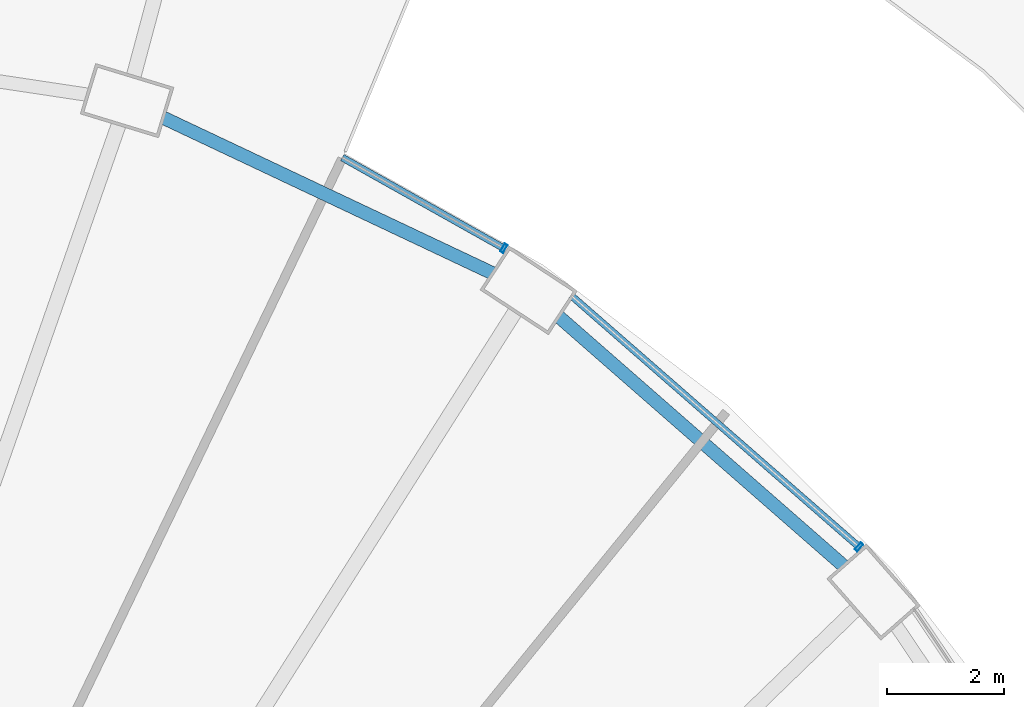
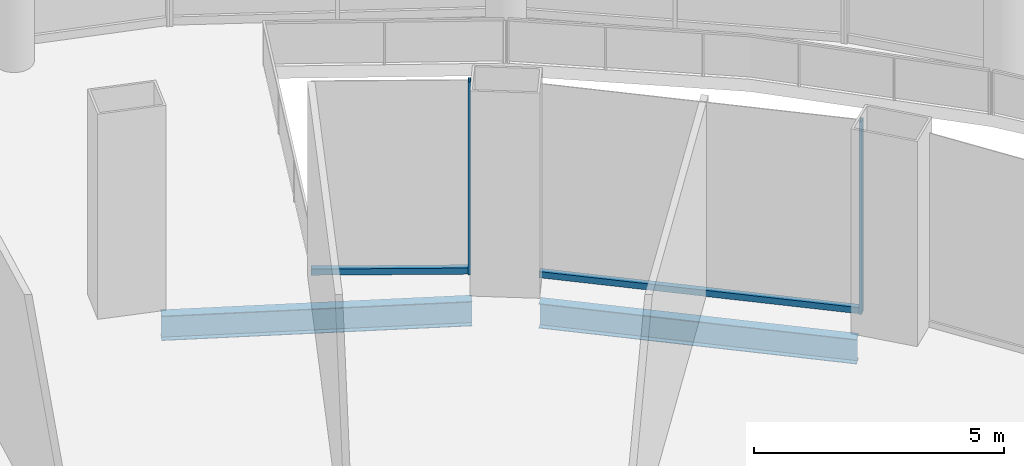
# One storey, part 35 of 47: 4 members, 2 beams, 2 elements without a shape of their own.
"""IFC4 building model written with IfcOpenShell, lengths in metres."""

from ifc_helpers import new_model, si_unit, direction, frame, origin, origin_2d, place, context, subcontext, project, spatial, hollow_rectangle, i_section, extrude, material, layer, layer_set, material_profile, profile_set, type_object, element, aggregate, save


model = new_model("IFC4")

# Units and contexts
model_context = context("Model", 3, precision=1e-05, world=origin(), true_north=direction((0.0, 1.0)))
body_context = subcontext(model_context, "Body", "Model", "MODEL_VIEW")
ifc_project = project(units=[si_unit("LENGTHUNIT", "METRE"), si_unit("AREAUNIT", "SQUARE_METRE"), si_unit("VOLUMEUNIT", "CUBIC_METRE"), si_unit("PLANEANGLEUNIT", "RADIAN"), si_unit("MASSUNIT", "GRAM", prefix="KILO")], contexts=[model_context])

# Site, building, storey
site_placement = place(None, origin())
site = spatial("IfcSite", under=ifc_project, at=site_placement, CompositionType="ELEMENT")
building_placement = place(site_placement, origin())
building = spatial("IfcBuilding", under=site, at=building_placement, Name="Nagisa Residences", CompositionType="ELEMENT")
storey_placement = place(building_placement, frame((0.0, 0.0, 7.0)))
storey = spatial("IfcBuildingStorey", under=building, at=storey_placement, Name="L01", CompositionType="ELEMENT", Elevation=7.0)

# Curtain wall, member
ifc_material_1 = material(Name="Stainless steel curtain wall system", Category="steel")
ifc_layer = layer(ifc_material_1, 0.159912109375)
ifc_layer_set = layer_set([ifc_layer], Name="CW6 CURTAIN WALL")
curtain_wall_type = type_object("IfcCurtainWallType", Name="CW6 CURTAIN WALL", PredefinedType="NOTDEFINED", material=ifc_layer_set)
curtain_wall_1_placement = place(storey_placement, origin())
curtain_wall_1 = element("IfcCurtainWall", 1, at=curtain_wall_1_placement, inside=storey, type_object=curtain_wall_type, Name="cw:CW6:L01:06", PredefinedType="NOTDEFINED")
ifc_material_2 = material(Name="Stainless steel", Category="steel")
ifc_material_profile_1 = material_profile(ifc_material_2, hollow_rectangle(XDim=0.159912109375, YDim=0.06005859375, WallThickness=0.006103515625, at=origin_2d()), Name="CW6 MULLION 160x60")
ifc_profile_set_1 = profile_set([ifc_material_profile_1], Name="Stainless steel")
member_type_1 = type_object("IfcMemberType", Name="CW6 MULLION 160x60", PredefinedType="MULLION", material=ifc_profile_set_1)
member_1_placement = place(storey_placement, frame((23.503662109375, 23.75439453125, 0.0), z_axis=(0.0, 0.0, 1.0), x_axis=(-0.657721475708, -0.753261216572, 0.0)))
member_1 = element("IfcMember", 2, at=member_1_placement, type_object=member_type_1, Name="CW6 mullion", PredefinedType="MULLION", context=body_context, shape_type="SweptSolid", body=[
    extrude(hollow_rectangle(XDim=0.159912109375, YDim=0.06005859375, WallThickness=0.006103515625, at=origin_2d()), origin(), (0.0, 0.0, 1.0), 4.699951171875),
])

curtain_wall_2_placement = place(storey_placement, origin())
curtain_wall_2 = element("IfcCurtainWall", 3, at=curtain_wall_2_placement, inside=storey, type_object=curtain_wall_type, Name="cw:CW6:L01:08", PredefinedType="NOTDEFINED")
member_2_placement = place(storey_placement, frame((17.42431640625, 28.8662109375, 0.0), z_axis=(0.0, 0.0, 1.0), x_axis=(-0.489376918501, -0.872072377523, 0.0)))
member_2 = element("IfcMember", 4, at=member_2_placement, type_object=member_type_1, Name="CW6 mullion", PredefinedType="MULLION", context=body_context, shape_type="SweptSolid", body=[
    extrude(hollow_rectangle(XDim=0.159912109375, YDim=0.06005859375, WallThickness=0.006103515625, at=origin_2d()), origin(), (0.0, 0.0, 1.0), 4.699951171875),
])

# Member
ifc_material_3 = material(Name="Stainless steel", Category="steel")
ifc_material_profile_2 = material_profile(ifc_material_3, hollow_rectangle(XDim=0.1201171875, YDim=0.14990234375, WallThickness=0.008056640625, at=origin_2d()), Name="CW6 TRANSOM 120x150")
ifc_profile_set_2 = profile_set([ifc_material_profile_2], Name="Stainless steel")
member_type_2 = type_object("IfcMemberType", Name="CW6 TRANSOM 120x150", PredefinedType="USERDEFINED", material=ifc_profile_set_2)
member_3_placement = place(storey_placement, frame((23.526123046875, 23.734619140625, 0.074951171875), z_axis=(-0.753255020636, 0.657728571591, 0.0), x_axis=(-0.657728571591, -0.753255020636, 0.0)))
member_3 = element("IfcMember", 5, at=member_3_placement, type_object=member_type_2, Name="CW6 transom", ObjectType="TRANSOM", PredefinedType="USERDEFINED", context=body_context, shape_type="SweptSolid", body=[
    extrude(hollow_rectangle(XDim=0.1201171875, YDim=0.14990234375, WallThickness=0.008056640625, at=origin_2d()), origin(), (0.0, 0.0, 1.0), 6.5732421875),
])

aggregate(curtain_wall_1, [member_1, member_3])

member_4_placement = place(storey_placement, frame((17.450439453125, 28.8515625, 0.074951171875), z_axis=(-0.872070011948, 0.489381133946, 0.0), x_axis=(-0.489381133946, -0.872070011948, 0.0)))
member_4 = element("IfcMember", 6, at=member_4_placement, type_object=member_type_2, Name="CW6 transom", ObjectType="TRANSOM", PredefinedType="USERDEFINED", context=body_context, shape_type="SweptSolid", body=[
    extrude(hollow_rectangle(XDim=0.1201171875, YDim=0.14990234375, WallThickness=0.008056640625, at=origin_2d()), origin(), (0.0, 0.0, 1.0), 3.201171875),
])

aggregate(curtain_wall_2, [member_2, member_4])

# Beams
ifc_material_4 = material(Name="Steel ASTM A572 Gr 50", Category="steel")
ifc_material_profile_3 = material_profile(ifc_material_4, i_section(OverallWidth=0.22802734375, OverallDepth=0.60302734375, WebThickness=0.010498046875, FlangeThickness=0.014892578125, at=origin_2d()), Name="W610x101")
ifc_profile_set_3 = profile_set([ifc_material_profile_3], Name="Steel ASTM A572 Gr 50")
beam_type = type_object("IfcBeamType", Name="Perimeter ring beam W610x101", PredefinedType="BEAM", material=ifc_profile_set_3)
beam_1_placement = place(storey_placement, frame((23.236328125, 23.432861328125, -0.6015625), z_axis=(-0.7525907186, 0.658488580217, 0.0), x_axis=(-0.658488580217, -0.7525907186, 0.0)))
element("IfcBeam", 7, at=beam_1_placement, inside=storey, type_object=beam_type, Name="beam:L01:pb04", PredefinedType="BEAM", context=body_context, shape_type="SweptSolid", body=[
    extrude(i_section(OverallWidth=0.22802734375, OverallDepth=0.60302734375, WebThickness=0.010498046875, FlangeThickness=0.014892578125, at=origin_2d()), origin(), (0.0, 0.0, 1.0), 6.470458984375),
])
beam_2_placement = place(storey_placement, frame((17.22900390625, 28.439208984375, -0.6015625), z_axis=(-0.904215426643, 0.427076646774, 0.0), x_axis=(-0.427076646774, -0.904215426643, 0.0)))
element("IfcBeam", 8, at=beam_2_placement, inside=storey, type_object=beam_type, Name="beam:L01:pb05", PredefinedType="BEAM", context=body_context, shape_type="SweptSolid", body=[
    extrude(i_section(OverallWidth=0.22802734375, OverallDepth=0.60302734375, WebThickness=0.010498046875, FlangeThickness=0.014892578125, at=origin_2d()), origin(), (0.0, 0.0, 1.0), 6.2275390625),
])

save(model, "model.ifc")
